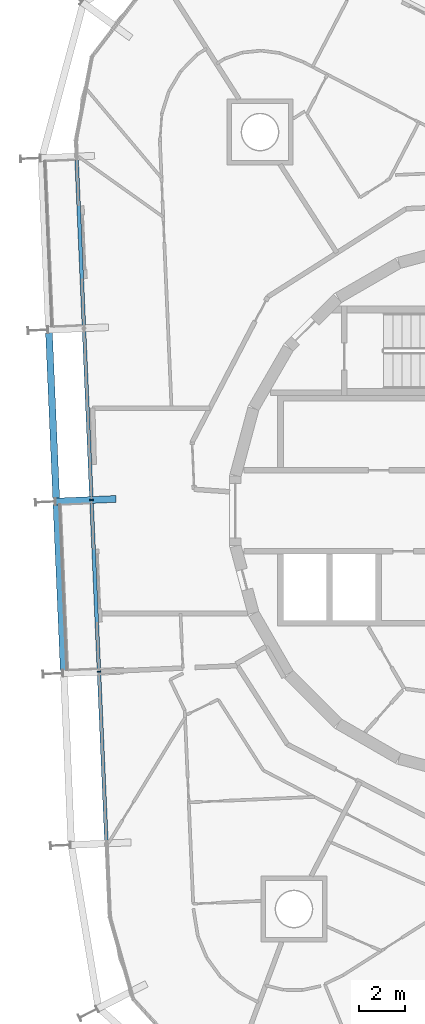
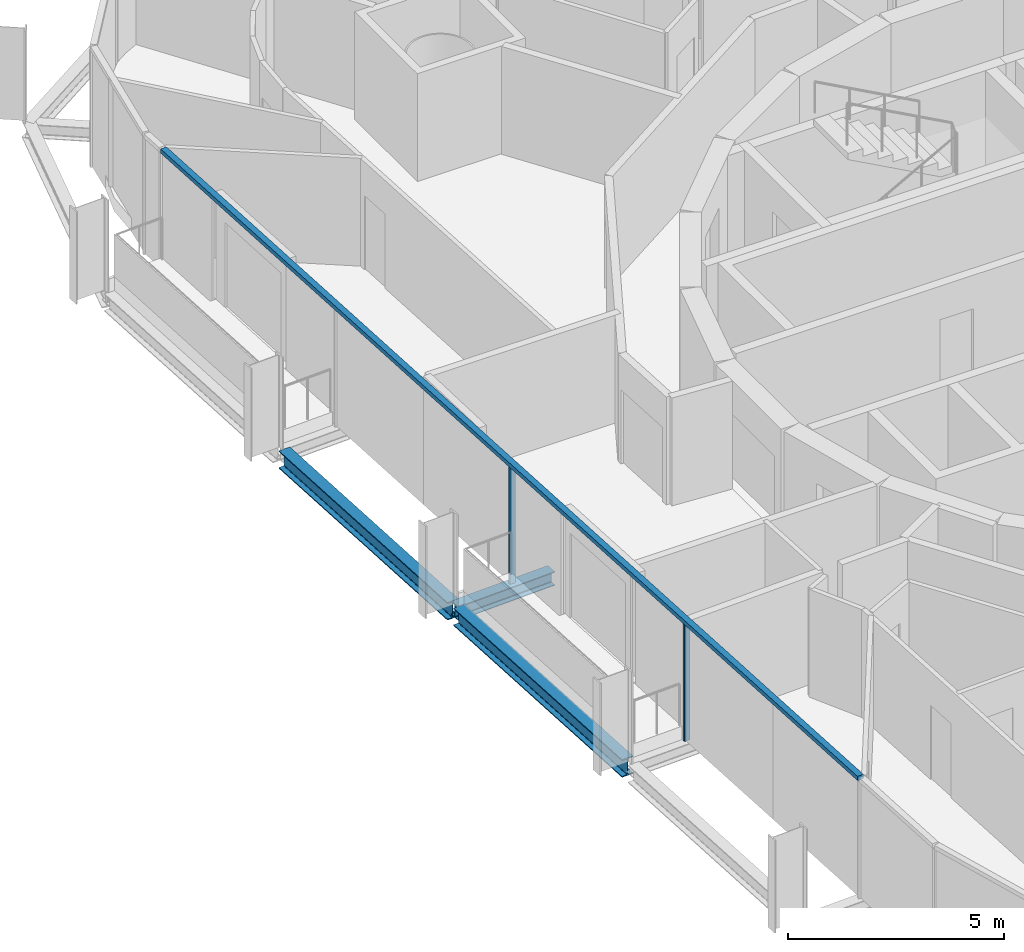
# One storey, part 4 of 18: 3 beams, 3 members, 1 element without a shape of its own.
"""IFC4 building model written with IfcOpenShell, lengths in metres."""

from ifc_helpers import new_model, si_unit, direction, frame, origin, origin_2d, place, context, subcontext, project, spatial, rectangle, i_section, extrude, material, layer, layer_set, material_profile, profile_set, type_object, element, aggregate, save


model = new_model("IFC4")

# Units and contexts
model_context = context("Model", 3, precision=1e-05, world=origin(), true_north=direction((0.0, 1.0)))
body_context = subcontext(model_context, "Body", "Model", "MODEL_VIEW")
ifc_project = project(units=[si_unit("LENGTHUNIT", "METRE"), si_unit("AREAUNIT", "SQUARE_METRE"), si_unit("VOLUMEUNIT", "CUBIC_METRE"), si_unit("PLANEANGLEUNIT", "RADIAN"), si_unit("MASSUNIT", "GRAM", prefix="KILO")], contexts=[model_context])

# Site, building, storey
site_placement = place(None, origin())
site = spatial("IfcSite", under=ifc_project, at=site_placement, CompositionType="ELEMENT")
building_placement = place(site_placement, origin())
building = spatial("IfcBuilding", under=site, at=building_placement, Name="Spindle Arch Residences", CompositionType="ELEMENT")
storey_placement = place(building_placement, frame((0.0, 0.0, 254.699951171875)))
storey = spatial("IfcBuildingStorey", under=building, at=storey_placement, Name="L65", CompositionType="ELEMENT", Elevation=254.699951171875)

# Curtain wall, members
ifc_material_1 = material(Name="Aluminium bronze unitised frame with tinted glass", Category="aluminium")
ifc_layer = layer(ifc_material_1, 0.159912109375)
ifc_layer_set = layer_set([ifc_layer], Name="CW-C typical residential unitised wall")
curtain_wall_type = type_object("IfcCurtainWallType", Name="CW-C typical residential unitised wall", PredefinedType="NOTDEFINED", material=ifc_layer_set)
curtain_wall_placement = place(storey_placement, origin())
curtain_wall = element("IfcCurtainWall", 1, at=curtain_wall_placement, inside=storey, type_object=curtain_wall_type, Name="CW-C L65 run 4", PredefinedType="NOTDEFINED")
ifc_material_2 = material(Name="Aluminium bronze anodised mullion", Category="aluminium")
ifc_material_profile_1 = material_profile(ifc_material_2, rectangle(XDim=0.159912109375, YDim=0.06005859375, at=origin_2d()), Name="MU 60x160")
ifc_profile_set_1 = profile_set([ifc_material_profile_1], Name="Aluminium bronze anodised mullion")
member_type_1 = type_object("IfcMemberType", Name="Bronze mullion 60x160", PredefinedType="MULLION", material=ifc_profile_set_1)
member_1_placement = place(storey_placement, frame((-17.9521484375, 0.472412109375, -0.3798828125), z_axis=(0.0, 0.0, 1.0), x_axis=(0.999048221582, 0.043619387365, 0.0)))
member_1 = element("IfcMember", 2, at=member_1_placement, type_object=member_type_1, Name="CW-C mullion 14", PredefinedType="MULLION", context=body_context, shape_type="SweptSolid", body=[
    extrude(rectangle(XDim=0.159912109375, YDim=0.06005859375, at=origin_2d()), origin(), (0.0, 0.0, 1.0), 3.309814453125),
])
member_2_placement = place(storey_placement, frame((-17.62353515625, -7.050537109375, -0.3798828125), z_axis=(0.0, 0.0, 1.0), x_axis=(0.999048221582, 0.043619387365, 0.0)))
member_2 = element("IfcMember", 3, at=member_2_placement, type_object=member_type_1, Name="CW-C mullion 15", PredefinedType="MULLION", context=body_context, shape_type="SweptSolid", body=[
    extrude(rectangle(XDim=0.159912109375, YDim=0.06005859375, at=origin_2d()), origin(), (0.0, 0.0, 1.0), 3.309814453125),
])
ifc_material_3 = material(Name="Aluminium bronze anodised transom", Category="aluminium")
ifc_material_profile_2 = material_profile(ifc_material_3, rectangle(XDim=0.159912109375, YDim=0.1201171875, at=origin_2d()), Name="TR 120x160")
ifc_profile_set_2 = profile_set([ifc_material_profile_2], Name="Aluminium bronze anodised transom")
member_type_2 = type_object("IfcMemberType", Name="Bronze transom 120x160", PredefinedType="USERDEFINED", material=ifc_profile_set_2)
member_3_placement = place(storey_placement, frame((-18.607666015625, 15.48828125, 2.989990234375), z_axis=(0.043621555075, -0.999048126935, 0.0), x_axis=(0.999048126935, 0.043621555075, 0.0)))
member_3 = element("IfcMember", 4, at=member_3_placement, type_object=member_type_2, Name="CW-C transom 00", ObjectType="TRANSOM", PredefinedType="USERDEFINED", context=body_context, shape_type="SweptSolid", body=[
    extrude(rectangle(XDim=0.159912109375, YDim=0.1201171875, at=origin_2d()), origin(), (0.0, 0.0, 1.0), 30.060302734375),
])
aggregate(curtain_wall, [member_3, member_1, member_2])

# Beams
ifc_material_4 = material(Name="Steel S460ML, intumescent coating R 120", Category="steel")
ifc_material_profile_3 = material_profile(ifc_material_4, i_section(OverallWidth=0.300048828125, OverallDepth=0.5, WebThickness=0.014404296875, FlangeThickness=0.028076171875, FilletRadius=0.027099609375, at=origin_2d()), Name="HEB 500")
ifc_profile_set_3 = profile_set([ifc_material_profile_3], Name="Steel S460ML, intumescent coating R 120")
beam_type_1 = type_object("IfcBeamType", Name="Exoskeleton edge beam HEB 500", PredefinedType="BEAM", material=ifc_profile_set_3)
for number, where, z_axis, x_axis, name in (
    (5, (-19.8134765625, 7.79833984375, -0.6298828125), (0.043655819138, -0.999046630271, 0.0), (0.999046630271, 0.043655819138, 0.0), "Exoskeleton edge beam 14"),
    (6, (-19.48486328125, 0.275390625, -0.6298828125), (0.043622301665, -0.999048094337, 0.0), (0.999048094337, 0.043622301665, 0.0), "Exoskeleton edge beam 15"),
):
    element("IfcBeam", number, at=place(storey_placement, frame(where, z_axis=z_axis, x_axis=x_axis)), inside=storey, type_object=beam_type_1, Name=name, PredefinedType="BEAM", context=body_context, shape_type="SweptSolid", body=[
        extrude(i_section(OverallWidth=0.300048828125, OverallDepth=0.5, WebThickness=0.014404296875, FlangeThickness=0.028076171875, FilletRadius=0.027099609375, at=origin_2d()), origin(), (0.0, 0.0, 1.0), 7.27001953125),
    ])
ifc_material_5 = material(Name="Steel S460ML, intumescent coating R 120", Category="steel")
ifc_material_profile_4 = material_profile(ifc_material_5, i_section(OverallWidth=0.300048828125, OverallDepth=0.389892578125, WebThickness=0.010986328125, FlangeThickness=0.01904296875, FilletRadius=0.027099609375, at=origin_2d()), Name="HEA 400")
ifc_profile_set_4 = profile_set([ifc_material_profile_4], Name="Steel S460ML, intumescent coating R 120")
beam_type_2 = type_object("IfcBeamType", Name="Floor outrigger HEA 400", PredefinedType="BEAM", material=ifc_profile_set_4)
beam_placement = place(storey_placement, frame((-19.5205078125, 0.40380859375, -0.574951171875), z_axis=(0.999046049411, 0.043669109869, 0.0), x_axis=(-0.043669109869, 0.999046049411, 0.0)))
element("IfcBeam", 7, at=beam_placement, inside=storey, type_object=beam_type_2, Name="Floor outrigger 15", PredefinedType="BEAM", context=body_context, shape_type="SweptSolid", body=[
    extrude(i_section(OverallWidth=0.300048828125, OverallDepth=0.389892578125, WebThickness=0.010986328125, FlangeThickness=0.01904296875, FilletRadius=0.027099609375, at=origin_2d()), origin(), (0.0, 0.0, 1.0), 2.64990234375),
])

save(model, "model.ifc")
